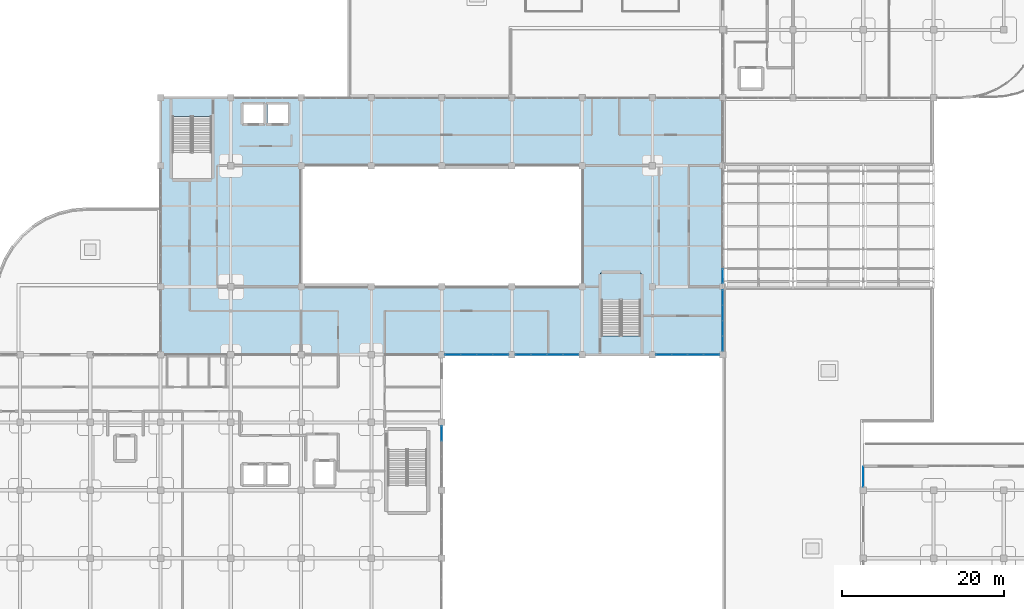
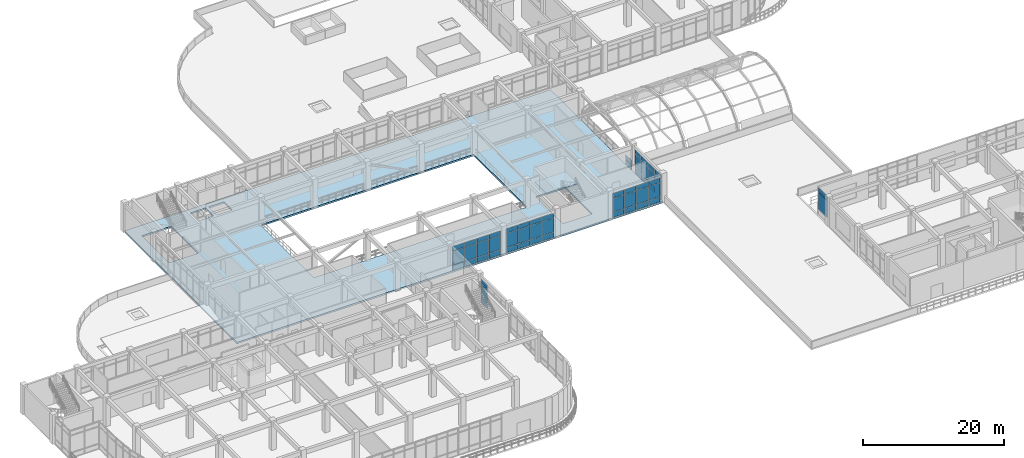
# One storey, part 95 of 124: 55 plates, 2 slabs, 8 elements without a shape of their own.
"""IFC4 building model written with IfcOpenShell, lengths in metres."""

from ifc_helpers import new_model, si_unit, derived_unit, direction, frame, origin, origin_2d, place, context, subcontext, project, spatial, polyline, rectangle, outline, extrude, material, layer, layer_set, type_object, element, aggregate, save


model = new_model("IFC4")

# Units and contexts
model_context = context("Model", 3, precision=1e-05, world=origin(), true_north=direction((0.0, 1.0)))
body_context = subcontext(model_context, "Body", "Model", "MODEL_VIEW")
ifc_project = project(units=[si_unit("LENGTHUNIT", "METRE"), si_unit("AREAUNIT", "SQUARE_METRE"), si_unit("VOLUMEUNIT", "CUBIC_METRE"), si_unit("PLANEANGLEUNIT", "RADIAN"), si_unit("MASSUNIT", "GRAM", prefix="KILO"), derived_unit("THERMALTRANSMITTANCEUNIT", [(si_unit("MASSUNIT", "GRAM", prefix="KILO"), 1), (si_unit("TIMEUNIT", "SECOND"), -3), (si_unit("THERMODYNAMICTEMPERATUREUNIT", "KELVIN"), -1)])], contexts=[model_context])

# Site, building, storey
site_placement = place(None, origin())
site = spatial("IfcSite", under=ifc_project, at=site_placement, CompositionType="ELEMENT")
building_placement = place(site_placement, origin())
building = spatial("IfcBuilding", under=site, at=building_placement, Name="Qinzheling Arcade Emporium", CompositionType="ELEMENT")
storey_placement = place(building_placement, frame((0.0, 0.0, 16.5)))
storey = spatial("IfcBuildingStorey", under=building, at=storey_placement, Name="L04", CompositionType="ELEMENT", Elevation=16.5)

# Curtain wall, plates
ifc_material_1 = material(Name="Anodised aluminium and solar-control double glazing", Category="aluminium")
ifc_layer_1 = layer(ifc_material_1, 0.159912109375, Name="Anodised aluminium and solar-control double glazing", Category="aluminium")
ifc_layer_set_1 = layer_set([ifc_layer_1], Name="Anodised aluminium and solar-control double glazing")
curtain_wall_type_1 = type_object("IfcCurtainWallType", Name="Atrium Clerestory Curtain Wall", PredefinedType="NOTDEFINED", material=ifc_layer_set_1)
curtain_wall_1_placement = place(storey_placement, origin())
curtain_wall_1 = element("IfcCurtainWall", 1, at=curtain_wall_1_placement, inside=storey, type_object=curtain_wall_type_1, Name="Curtain Wall CW-L04-253", PredefinedType="NOTDEFINED")
ifc_material_2 = material(Name="Laminated solar-control double glazing", Category="glass")
ifc_layer_2 = layer(ifc_material_2, 0.02099609375, Name="Laminated solar-control double glazing", Category="glass")
ifc_layer_set_2 = layer_set([ifc_layer_2], Name="Laminated solar-control double glazing")
plate_type_1 = type_object("IfcPlateType", Name="Low-E Double Glazed Curtain Panel 21mm", PredefinedType="CURTAIN_PANEL", material=ifc_layer_set_2)
plate_1_placement = place(storey_placement, frame((104.39990234375, 49.033447265625, 0.06005859375), z_axis=(0.0, 0.0, 1.0), x_axis=(0.0, -1.0, 0.0)))
plate_1 = element("IfcPlate", 2, at=plate_1_placement, type_object=plate_type_1, Name="CW03 panel 1.1", PredefinedType="CURTAIN_PANEL", context=body_context, shape_type="SweptSolid", body=[
    extrude(rectangle(XDim=1.80908203125, YDim=0.02099609375, at=origin_2d()), origin(), (0.0, 0.0, 1.0), 0.860107421875),
])
plate_2_placement = place(storey_placement, frame((104.39990234375, 49.033447265625, 0.97998046875), z_axis=(0.0, 0.0, 1.0), x_axis=(0.0, -1.0, 0.0)))
plate_2 = element("IfcPlate", 3, at=plate_2_placement, type_object=plate_type_1, Name="CW03 panel 1.2", PredefinedType="CURTAIN_PANEL", context=body_context, shape_type="SweptSolid", body=[
    extrude(rectangle(XDim=1.80908203125, YDim=0.02099609375, at=origin_2d()), origin(), (0.0, 0.0, 1.0), 2.39501953125),
])
plate_3_placement = place(storey_placement, frame((104.39990234375, 49.033447265625, 3.43505859375), z_axis=(0.0, 0.0, 1.0), x_axis=(0.0, -1.0, 0.0)))
plate_3 = element("IfcPlate", 4, at=plate_3_placement, type_object=plate_type_1, Name="CW03 panel 1.3", PredefinedType="CURTAIN_PANEL", context=body_context, shape_type="SweptSolid", body=[
    extrude(rectangle(XDim=1.80908203125, YDim=0.02099609375, at=origin_2d()), origin(), (0.0, 0.0, 1.0), 0.760009765625),
])
plate_4_placement = place(storey_placement, frame((104.39990234375, 47.1494140625, 0.06005859375), z_axis=(0.0, 0.0, 1.0), x_axis=(0.0, -1.0, 0.0)))
plate_4 = element("IfcPlate", 5, at=plate_4_placement, type_object=plate_type_1, Name="CW03 panel 2.1", PredefinedType="CURTAIN_PANEL", context=body_context, shape_type="SweptSolid", body=[
    extrude(rectangle(XDim=1.839111328125, YDim=0.02099609375, at=origin_2d()), origin(), (0.0, 0.0, 1.0), 0.860107421875),
])
plate_5_placement = place(storey_placement, frame((104.39990234375, 47.1494140625, 0.97998046875), z_axis=(0.0, 0.0, 1.0), x_axis=(0.0, -1.0, 0.0)))
plate_5 = element("IfcPlate", 6, at=plate_5_placement, type_object=plate_type_1, Name="CW03 panel 2.2", PredefinedType="CURTAIN_PANEL", context=body_context, shape_type="SweptSolid", body=[
    extrude(rectangle(XDim=1.839111328125, YDim=0.02099609375, at=origin_2d()), origin(), (0.0, 0.0, 1.0), 2.39501953125),
])
plate_6_placement = place(storey_placement, frame((104.39990234375, 47.1494140625, 3.43505859375), z_axis=(0.0, 0.0, 1.0), x_axis=(0.0, -1.0, 0.0)))
plate_6 = element("IfcPlate", 7, at=plate_6_placement, type_object=plate_type_1, Name="CW03 panel 2.3", PredefinedType="CURTAIN_PANEL", context=body_context, shape_type="SweptSolid", body=[
    extrude(rectangle(XDim=1.839111328125, YDim=0.02099609375, at=origin_2d()), origin(), (0.0, 0.0, 1.0), 0.760009765625),
])
plate_7_placement = place(storey_placement, frame((104.39990234375, 45.25048828125, 0.06005859375), z_axis=(0.0, 0.0, 1.0), x_axis=(0.0, -1.0, 0.0)))
plate_7 = element("IfcPlate", 8, at=plate_7_placement, type_object=plate_type_1, Name="CW03 panel 3.1", PredefinedType="CURTAIN_PANEL", context=body_context, shape_type="SweptSolid", body=[
    extrude(rectangle(XDim=1.839111328125, YDim=0.02099609375, at=origin_2d()), origin(), (0.0, 0.0, 1.0), 0.860107421875),
])
plate_8_placement = place(storey_placement, frame((104.39990234375, 45.25048828125, 0.97998046875), z_axis=(0.0, 0.0, 1.0), x_axis=(0.0, -1.0, 0.0)))
plate_8 = element("IfcPlate", 9, at=plate_8_placement, type_object=plate_type_1, Name="CW03 panel 3.2", PredefinedType="CURTAIN_PANEL", context=body_context, shape_type="SweptSolid", body=[
    extrude(rectangle(XDim=1.839111328125, YDim=0.02099609375, at=origin_2d()), origin(), (0.0, 0.0, 1.0), 2.39501953125),
])
plate_9_placement = place(storey_placement, frame((104.39990234375, 45.25048828125, 3.43505859375), z_axis=(0.0, 0.0, 1.0), x_axis=(0.0, -1.0, 0.0)))
plate_9 = element("IfcPlate", 10, at=plate_9_placement, type_object=plate_type_1, Name="CW03 panel 3.3", PredefinedType="CURTAIN_PANEL", context=body_context, shape_type="SweptSolid", body=[
    extrude(rectangle(XDim=1.839111328125, YDim=0.02099609375, at=origin_2d()), origin(), (0.0, 0.0, 1.0), 0.760009765625),
])
plate_10_placement = place(storey_placement, frame((104.39990234375, 43.366455078125, 0.06005859375), z_axis=(0.0, 0.0, 1.0), x_axis=(0.0, -1.0, 0.0)))
plate_10 = element("IfcPlate", 11, at=plate_10_placement, type_object=plate_type_1, Name="CW03 panel 4.1", PredefinedType="CURTAIN_PANEL", context=body_context, shape_type="SweptSolid", body=[
    extrude(rectangle(XDim=1.80908203125, YDim=0.02099609375, at=origin_2d()), origin(), (0.0, 0.0, 1.0), 0.860107421875),
])
plate_11_placement = place(storey_placement, frame((104.39990234375, 43.366455078125, 0.97998046875), z_axis=(0.0, 0.0, 1.0), x_axis=(0.0, -1.0, 0.0)))
plate_11 = element("IfcPlate", 12, at=plate_11_placement, type_object=plate_type_1, Name="CW03 panel 4.2", PredefinedType="CURTAIN_PANEL", context=body_context, shape_type="SweptSolid", body=[
    extrude(rectangle(XDim=1.80908203125, YDim=0.02099609375, at=origin_2d()), origin(), (0.0, 0.0, 1.0), 2.39501953125),
])
plate_12_placement = place(storey_placement, frame((104.39990234375, 43.366455078125, 3.43505859375), z_axis=(0.0, 0.0, 1.0), x_axis=(0.0, -1.0, 0.0)))
plate_12 = element("IfcPlate", 13, at=plate_12_placement, type_object=plate_type_1, Name="CW03 panel 4.3", PredefinedType="CURTAIN_PANEL", context=body_context, shape_type="SweptSolid", body=[
    extrude(rectangle(XDim=1.80908203125, YDim=0.02099609375, at=origin_2d()), origin(), (0.0, 0.0, 1.0), 0.760009765625),
])
aggregate(curtain_wall_1, [plate_1, plate_2, plate_3, plate_4, plate_5, plate_6, plate_7, plate_8, plate_9, plate_10, plate_11, plate_12])

curtain_wall_2_placement = place(storey_placement, origin())
curtain_wall_2 = element("IfcCurtainWall", 14, at=curtain_wall_2_placement, inside=storey, type_object=curtain_wall_type_1, Name="Curtain Wall CW-L04-254", PredefinedType="NOTDEFINED")
ifc_layer_3 = layer(ifc_material_2, 0.02197265625, Name="Laminated solar-control double glazing", Category="glass")
ifc_layer_set_3 = layer_set([ifc_layer_3], Name="Laminated solar-control double glazing")
plate_type_2 = type_object("IfcPlateType", Name="Low-E Double Glazed Curtain Panel 22mm", PredefinedType="CURTAIN_PANEL", material=ifc_layer_set_3)
plate_13_placement = place(storey_placement, frame((102.99609375, 42.0, 0.06005859375), z_axis=(0.0, 0.0, 1.0), x_axis=(-1.0, 0.0, 0.0)))
plate_13 = element("IfcPlate", 15, at=plate_13_placement, type_object=plate_type_2, Name="CW03 panel 1.1", PredefinedType="CURTAIN_PANEL", context=body_context, shape_type="SweptSolid", body=[
    extrude(rectangle(XDim=1.884033203125, YDim=0.02197265625, at=origin_2d()), origin(), (0.0, 0.0, 1.0), 0.860107421875),
])
plate_14_placement = place(storey_placement, frame((102.99609375, 42.0, 0.97998046875), z_axis=(0.0, 0.0, 1.0), x_axis=(-1.0, 0.0, 0.0)))
plate_14 = element("IfcPlate", 16, at=plate_14_placement, type_object=plate_type_2, Name="CW03 panel 1.2", PredefinedType="CURTAIN_PANEL", context=body_context, shape_type="SweptSolid", body=[
    extrude(rectangle(XDim=1.884033203125, YDim=0.02197265625, at=origin_2d()), origin(), (0.0, 0.0, 1.0), 2.39501953125),
])
plate_15_placement = place(storey_placement, frame((102.99609375, 42.0, 3.43505859375), z_axis=(0.0, 0.0, 1.0), x_axis=(-1.0, 0.0, 0.0)))
plate_15 = element("IfcPlate", 17, at=plate_15_placement, type_object=plate_type_2, Name="CW03 panel 1.3", PredefinedType="CURTAIN_PANEL", context=body_context, shape_type="SweptSolid", body=[
    extrude(rectangle(XDim=1.884033203125, YDim=0.02197265625, at=origin_2d()), origin(), (0.0, 0.0, 1.0), 0.760009765625),
])
plate_16_placement = place(storey_placement, frame((101.037109375, 42.0, 0.06005859375), z_axis=(0.0, 0.0, 1.0), x_axis=(-1.0, 0.0, 0.0)))
plate_16 = element("IfcPlate", 18, at=plate_16_placement, type_object=plate_type_2, Name="CW03 panel 2.1", PredefinedType="CURTAIN_PANEL", context=body_context, shape_type="SweptSolid", body=[
    extrude(rectangle(XDim=1.9140625, YDim=0.02197265625, at=origin_2d()), origin(), (0.0, 0.0, 1.0), 0.860107421875),
])
plate_17_placement = place(storey_placement, frame((101.037109375, 42.0, 0.97998046875), z_axis=(0.0, 0.0, 1.0), x_axis=(-1.0, 0.0, 0.0)))
plate_17 = element("IfcPlate", 19, at=plate_17_placement, type_object=plate_type_2, Name="CW03 panel 2.2", PredefinedType="CURTAIN_PANEL", context=body_context, shape_type="SweptSolid", body=[
    extrude(rectangle(XDim=1.9140625, YDim=0.02197265625, at=origin_2d()), origin(), (0.0, 0.0, 1.0), 2.39501953125),
])
plate_18_placement = place(storey_placement, frame((101.037109375, 42.0, 3.43505859375), z_axis=(0.0, 0.0, 1.0), x_axis=(-1.0, 0.0, 0.0)))
plate_18 = element("IfcPlate", 20, at=plate_18_placement, type_object=plate_type_2, Name="CW03 panel 2.3", PredefinedType="CURTAIN_PANEL", context=body_context, shape_type="SweptSolid", body=[
    extrude(rectangle(XDim=1.9140625, YDim=0.02197265625, at=origin_2d()), origin(), (0.0, 0.0, 1.0), 0.760009765625),
])
plate_19_placement = place(storey_placement, frame((99.06298828125, 42.0, 0.06005859375), z_axis=(0.0, 0.0, 1.0), x_axis=(-1.0, 0.0, 0.0)))
plate_19 = element("IfcPlate", 21, at=plate_19_placement, type_object=plate_type_2, Name="CW03 panel 3.1", PredefinedType="CURTAIN_PANEL", context=body_context, shape_type="SweptSolid", body=[
    extrude(rectangle(XDim=1.9140625, YDim=0.02197265625, at=origin_2d()), origin(), (0.0, 0.0, 1.0), 0.860107421875),
])
plate_20_placement = place(storey_placement, frame((99.06298828125, 42.0, 0.97998046875), z_axis=(0.0, 0.0, 1.0), x_axis=(-1.0, 0.0, 0.0)))
plate_20 = element("IfcPlate", 22, at=plate_20_placement, type_object=plate_type_2, Name="CW03 panel 3.2", PredefinedType="CURTAIN_PANEL", context=body_context, shape_type="SweptSolid", body=[
    extrude(rectangle(XDim=1.9140625, YDim=0.02197265625, at=origin_2d()), origin(), (0.0, 0.0, 1.0), 2.39501953125),
])
plate_21_placement = place(storey_placement, frame((99.06298828125, 42.0, 3.43505859375), z_axis=(0.0, 0.0, 1.0), x_axis=(-1.0, 0.0, 0.0)))
plate_21 = element("IfcPlate", 23, at=plate_21_placement, type_object=plate_type_2, Name="CW03 panel 3.3", PredefinedType="CURTAIN_PANEL", context=body_context, shape_type="SweptSolid", body=[
    extrude(rectangle(XDim=1.9140625, YDim=0.02197265625, at=origin_2d()), origin(), (0.0, 0.0, 1.0), 0.760009765625),
])
plate_22_placement = place(storey_placement, frame((97.10400390625, 42.0, 0.06005859375), z_axis=(0.0, 0.0, 1.0), x_axis=(-1.0, 0.0, 0.0)))
plate_22 = element("IfcPlate", 24, at=plate_22_placement, type_object=plate_type_2, Name="CW03 panel 4.1", PredefinedType="CURTAIN_PANEL", context=body_context, shape_type="SweptSolid", body=[
    extrude(rectangle(XDim=1.884033203125, YDim=0.02197265625, at=origin_2d()), origin(), (0.0, 0.0, 1.0), 0.860107421875),
])
plate_23_placement = place(storey_placement, frame((97.10400390625, 42.0, 0.97998046875), z_axis=(0.0, 0.0, 1.0), x_axis=(-1.0, 0.0, 0.0)))
plate_23 = element("IfcPlate", 25, at=plate_23_placement, type_object=plate_type_2, Name="CW03 panel 4.2", PredefinedType="CURTAIN_PANEL", context=body_context, shape_type="SweptSolid", body=[
    extrude(rectangle(XDim=1.884033203125, YDim=0.02197265625, at=origin_2d()), origin(), (0.0, 0.0, 1.0), 2.39501953125),
])
plate_24_placement = place(storey_placement, frame((97.10400390625, 42.0, 3.43505859375), z_axis=(0.0, 0.0, 1.0), x_axis=(-1.0, 0.0, 0.0)))
plate_24 = element("IfcPlate", 26, at=plate_24_placement, type_object=plate_type_2, Name="CW03 panel 4.3", PredefinedType="CURTAIN_PANEL", context=body_context, shape_type="SweptSolid", body=[
    extrude(rectangle(XDim=1.884033203125, YDim=0.02197265625, at=origin_2d()), origin(), (0.0, 0.0, 1.0), 0.760009765625),
])
aggregate(curtain_wall_2, [plate_13, plate_14, plate_15, plate_16, plate_17, plate_18, plate_19, plate_20, plate_21, plate_22, plate_23, plate_24])

curtain_wall_3_placement = place(storey_placement, origin())
curtain_wall_3 = element("IfcCurtainWall", 27, at=curtain_wall_3_placement, inside=storey, type_object=curtain_wall_type_1, Name="Curtain Wall CW-L04-255", PredefinedType="NOTDEFINED")
ifc_layer_4 = layer(ifc_material_2, 0.02392578125, Name="Laminated solar-control double glazing", Category="glass")
ifc_layer_set_4 = layer_set([ifc_layer_4], Name="Laminated solar-control double glazing")
plate_type_3 = type_object("IfcPlateType", Name="Low-E Double Glazed Curtain Panel 24mm", PredefinedType="CURTAIN_PANEL", material=ifc_layer_set_4)
plate_25_placement = place(storey_placement, frame((85.595947265625, 42.0, 0.06005859375), z_axis=(0.0, 0.0, 1.0), x_axis=(-1.0, 0.0, 0.0)))
plate_25 = element("IfcPlate", 28, at=plate_25_placement, type_object=plate_type_3, Name="CW03 panel 1.1", PredefinedType="CURTAIN_PANEL", context=body_context, shape_type="SweptSolid", body=[
    extrude(rectangle(XDim=1.884033203125, YDim=0.02392578125, at=origin_2d()), origin(), (0.0, 0.0, 1.0), 0.860107421875),
])
plate_26_placement = place(storey_placement, frame((85.595947265625, 42.0, 0.97998046875), z_axis=(0.0, 0.0, 1.0), x_axis=(-1.0, 0.0, 0.0)))
plate_26 = element("IfcPlate", 29, at=plate_26_placement, type_object=plate_type_3, Name="CW03 panel 1.2", PredefinedType="CURTAIN_PANEL", context=body_context, shape_type="SweptSolid", body=[
    extrude(rectangle(XDim=1.884033203125, YDim=0.02392578125, at=origin_2d()), origin(), (0.0, 0.0, 1.0), 2.39501953125),
])
plate_27_placement = place(storey_placement, frame((85.595947265625, 42.0, 3.43505859375), z_axis=(0.0, 0.0, 1.0), x_axis=(-1.0, 0.0, 0.0)))
plate_27 = element("IfcPlate", 30, at=plate_27_placement, type_object=plate_type_3, Name="CW03 panel 1.3", PredefinedType="CURTAIN_PANEL", context=body_context, shape_type="SweptSolid", body=[
    extrude(rectangle(XDim=1.884033203125, YDim=0.02392578125, at=origin_2d()), origin(), (0.0, 0.0, 1.0), 0.760009765625),
])
plate_28_placement = place(storey_placement, frame((83.636962890625, 42.0, 0.06005859375), z_axis=(0.0, 0.0, 1.0), x_axis=(-1.0, 0.0, 0.0)))
plate_28 = element("IfcPlate", 31, at=plate_28_placement, type_object=plate_type_3, Name="CW03 panel 2.1", PredefinedType="CURTAIN_PANEL", context=body_context, shape_type="SweptSolid", body=[
    extrude(rectangle(XDim=1.9140625, YDim=0.02392578125, at=origin_2d()), origin(), (0.0, 0.0, 1.0), 0.860107421875),
])
plate_29_placement = place(storey_placement, frame((83.636962890625, 42.0, 0.97998046875), z_axis=(0.0, 0.0, 1.0), x_axis=(-1.0, 0.0, 0.0)))
plate_29 = element("IfcPlate", 32, at=plate_29_placement, type_object=plate_type_3, Name="CW03 panel 2.2", PredefinedType="CURTAIN_PANEL", context=body_context, shape_type="SweptSolid", body=[
    extrude(rectangle(XDim=1.9140625, YDim=0.02392578125, at=origin_2d()), origin(), (0.0, 0.0, 1.0), 2.39501953125),
])
plate_30_placement = place(storey_placement, frame((83.636962890625, 42.0, 3.43505859375), z_axis=(0.0, 0.0, 1.0), x_axis=(-1.0, 0.0, 0.0)))
plate_30 = element("IfcPlate", 33, at=plate_30_placement, type_object=plate_type_3, Name="CW03 panel 2.3", PredefinedType="CURTAIN_PANEL", context=body_context, shape_type="SweptSolid", body=[
    extrude(rectangle(XDim=1.9140625, YDim=0.02392578125, at=origin_2d()), origin(), (0.0, 0.0, 1.0), 0.760009765625),
])
plate_31_placement = place(storey_placement, frame((81.6630859375, 42.0, 0.06005859375), z_axis=(0.0, 0.0, 1.0), x_axis=(-1.0, 0.0, 0.0)))
plate_31 = element("IfcPlate", 34, at=plate_31_placement, type_object=plate_type_3, Name="CW03 panel 3.1", PredefinedType="CURTAIN_PANEL", context=body_context, shape_type="SweptSolid", body=[
    extrude(rectangle(XDim=1.9140625, YDim=0.02392578125, at=origin_2d()), origin(), (0.0, 0.0, 1.0), 0.860107421875),
])
plate_32_placement = place(storey_placement, frame((81.6630859375, 42.0, 0.97998046875), z_axis=(0.0, 0.0, 1.0), x_axis=(-1.0, 0.0, 0.0)))
plate_32 = element("IfcPlate", 35, at=plate_32_placement, type_object=plate_type_3, Name="CW03 panel 3.2", PredefinedType="CURTAIN_PANEL", context=body_context, shape_type="SweptSolid", body=[
    extrude(rectangle(XDim=1.9140625, YDim=0.02392578125, at=origin_2d()), origin(), (0.0, 0.0, 1.0), 2.39501953125),
])
plate_33_placement = place(storey_placement, frame((81.6630859375, 42.0, 3.43505859375), z_axis=(0.0, 0.0, 1.0), x_axis=(-1.0, 0.0, 0.0)))
plate_33 = element("IfcPlate", 36, at=plate_33_placement, type_object=plate_type_3, Name="CW03 panel 3.3", PredefinedType="CURTAIN_PANEL", context=body_context, shape_type="SweptSolid", body=[
    extrude(rectangle(XDim=1.9140625, YDim=0.02392578125, at=origin_2d()), origin(), (0.0, 0.0, 1.0), 0.760009765625),
])
plate_34_placement = place(storey_placement, frame((79.7041015625, 42.0, 0.06005859375), z_axis=(0.0, 0.0, 1.0), x_axis=(-1.0, 0.0, 0.0)))
plate_34 = element("IfcPlate", 37, at=plate_34_placement, type_object=plate_type_3, Name="CW03 panel 4.1", PredefinedType="CURTAIN_PANEL", context=body_context, shape_type="SweptSolid", body=[
    extrude(rectangle(XDim=1.884033203125, YDim=0.02392578125, at=origin_2d()), origin(), (0.0, 0.0, 1.0), 0.860107421875),
])
plate_35_placement = place(storey_placement, frame((79.7041015625, 42.0, 0.97998046875), z_axis=(0.0, 0.0, 1.0), x_axis=(-1.0, 0.0, 0.0)))
plate_35 = element("IfcPlate", 38, at=plate_35_placement, type_object=plate_type_3, Name="CW03 panel 4.2", PredefinedType="CURTAIN_PANEL", context=body_context, shape_type="SweptSolid", body=[
    extrude(rectangle(XDim=1.884033203125, YDim=0.02392578125, at=origin_2d()), origin(), (0.0, 0.0, 1.0), 2.39501953125),
])
plate_36_placement = place(storey_placement, frame((79.7041015625, 42.0, 3.43505859375), z_axis=(0.0, 0.0, 1.0), x_axis=(-1.0, 0.0, 0.0)))
plate_36 = element("IfcPlate", 39, at=plate_36_placement, type_object=plate_type_3, Name="CW03 panel 4.3", PredefinedType="CURTAIN_PANEL", context=body_context, shape_type="SweptSolid", body=[
    extrude(rectangle(XDim=1.884033203125, YDim=0.02392578125, at=origin_2d()), origin(), (0.0, 0.0, 1.0), 0.760009765625),
])
aggregate(curtain_wall_3, [plate_25, plate_26, plate_27, plate_28, plate_29, plate_30, plate_31, plate_32, plate_33, plate_34, plate_35, plate_36])

curtain_wall_4_placement = place(storey_placement, origin())
curtain_wall_4 = element("IfcCurtainWall", 40, at=curtain_wall_4_placement, inside=storey, type_object=curtain_wall_type_1, Name="Curtain Wall CW-L04-256", PredefinedType="NOTDEFINED")
ifc_layer_5 = layer(ifc_material_2, 0.02490234375, Name="Laminated solar-control double glazing", Category="glass")
ifc_layer_set_5 = layer_set([ifc_layer_5], Name="Laminated solar-control double glazing")
plate_type_4 = type_object("IfcPlateType", Name="Low-E Double Glazed Curtain Panel 25mm", PredefinedType="CURTAIN_PANEL", material=ifc_layer_set_5)
plate_37_placement = place(storey_placement, frame((76.89599609375, 42.0, 0.06005859375), z_axis=(0.0, 0.0, 1.0), x_axis=(-1.0, 0.0, 0.0)))
plate_37 = element("IfcPlate", 41, at=plate_37_placement, type_object=plate_type_4, Name="CW03 panel 1.1", PredefinedType="CURTAIN_PANEL", context=body_context, shape_type="SweptSolid", body=[
    extrude(rectangle(XDim=1.884033203125, YDim=0.02490234375, at=origin_2d()), origin(), (0.0, 0.0, 1.0), 0.860107421875),
])
plate_38_placement = place(storey_placement, frame((76.89599609375, 42.0, 0.97998046875), z_axis=(0.0, 0.0, 1.0), x_axis=(-1.0, 0.0, 0.0)))
plate_38 = element("IfcPlate", 42, at=plate_38_placement, type_object=plate_type_4, Name="CW03 panel 1.2", PredefinedType="CURTAIN_PANEL", context=body_context, shape_type="SweptSolid", body=[
    extrude(rectangle(XDim=1.884033203125, YDim=0.02490234375, at=origin_2d()), origin(), (0.0, 0.0, 1.0), 2.39501953125),
])
plate_39_placement = place(storey_placement, frame((76.89599609375, 42.0, 3.43505859375), z_axis=(0.0, 0.0, 1.0), x_axis=(-1.0, 0.0, 0.0)))
plate_39 = element("IfcPlate", 43, at=plate_39_placement, type_object=plate_type_4, Name="CW03 panel 1.3", PredefinedType="CURTAIN_PANEL", context=body_context, shape_type="SweptSolid", body=[
    extrude(rectangle(XDim=1.884033203125, YDim=0.02490234375, at=origin_2d()), origin(), (0.0, 0.0, 1.0), 0.760009765625),
])
plate_40_placement = place(storey_placement, frame((74.93701171875, 42.0, 0.06005859375), z_axis=(0.0, 0.0, 1.0), x_axis=(-1.0, 0.0, 0.0)))
plate_40 = element("IfcPlate", 44, at=plate_40_placement, type_object=plate_type_4, Name="CW03 panel 2.1", PredefinedType="CURTAIN_PANEL", context=body_context, shape_type="SweptSolid", body=[
    extrude(rectangle(XDim=1.9140625, YDim=0.02490234375, at=origin_2d()), origin(), (0.0, 0.0, 1.0), 0.860107421875),
])
plate_41_placement = place(storey_placement, frame((74.93701171875, 42.0, 0.97998046875), z_axis=(0.0, 0.0, 1.0), x_axis=(-1.0, 0.0, 0.0)))
plate_41 = element("IfcPlate", 45, at=plate_41_placement, type_object=plate_type_4, Name="CW03 panel 2.2", PredefinedType="CURTAIN_PANEL", context=body_context, shape_type="SweptSolid", body=[
    extrude(rectangle(XDim=1.9140625, YDim=0.02490234375, at=origin_2d()), origin(), (0.0, 0.0, 1.0), 2.39501953125),
])
plate_42_placement = place(storey_placement, frame((74.93701171875, 42.0, 3.43505859375), z_axis=(0.0, 0.0, 1.0), x_axis=(-1.0, 0.0, 0.0)))
plate_42 = element("IfcPlate", 46, at=plate_42_placement, type_object=plate_type_4, Name="CW03 panel 2.3", PredefinedType="CURTAIN_PANEL", context=body_context, shape_type="SweptSolid", body=[
    extrude(rectangle(XDim=1.9140625, YDim=0.02490234375, at=origin_2d()), origin(), (0.0, 0.0, 1.0), 0.760009765625),
])
plate_43_placement = place(storey_placement, frame((72.962890625, 42.0, 0.06005859375), z_axis=(0.0, 0.0, 1.0), x_axis=(-1.0, 0.0, 0.0)))
plate_43 = element("IfcPlate", 47, at=plate_43_placement, type_object=plate_type_4, Name="CW03 panel 3.1", PredefinedType="CURTAIN_PANEL", context=body_context, shape_type="SweptSolid", body=[
    extrude(rectangle(XDim=1.9140625, YDim=0.02490234375, at=origin_2d()), origin(), (0.0, 0.0, 1.0), 0.860107421875),
])
plate_44_placement = place(storey_placement, frame((72.962890625, 42.0, 0.97998046875), z_axis=(0.0, 0.0, 1.0), x_axis=(-1.0, 0.0, 0.0)))
plate_44 = element("IfcPlate", 48, at=plate_44_placement, type_object=plate_type_4, Name="CW03 panel 3.2", PredefinedType="CURTAIN_PANEL", context=body_context, shape_type="SweptSolid", body=[
    extrude(rectangle(XDim=1.9140625, YDim=0.02490234375, at=origin_2d()), origin(), (0.0, 0.0, 1.0), 2.39501953125),
])
plate_45_placement = place(storey_placement, frame((72.962890625, 42.0, 3.43505859375), z_axis=(0.0, 0.0, 1.0), x_axis=(-1.0, 0.0, 0.0)))
plate_45 = element("IfcPlate", 49, at=plate_45_placement, type_object=plate_type_4, Name="CW03 panel 3.3", PredefinedType="CURTAIN_PANEL", context=body_context, shape_type="SweptSolid", body=[
    extrude(rectangle(XDim=1.9140625, YDim=0.02490234375, at=origin_2d()), origin(), (0.0, 0.0, 1.0), 0.760009765625),
])
plate_46_placement = place(storey_placement, frame((71.00390625, 42.0, 0.06005859375), z_axis=(0.0, 0.0, 1.0), x_axis=(-1.0, 0.0, 0.0)))
plate_46 = element("IfcPlate", 50, at=plate_46_placement, type_object=plate_type_4, Name="CW03 panel 4.1", PredefinedType="CURTAIN_PANEL", context=body_context, shape_type="SweptSolid", body=[
    extrude(rectangle(XDim=1.884033203125, YDim=0.02490234375, at=origin_2d()), origin(), (0.0, 0.0, 1.0), 0.860107421875),
])
plate_47_placement = place(storey_placement, frame((71.00390625, 42.0, 0.97998046875), z_axis=(0.0, 0.0, 1.0), x_axis=(-1.0, 0.0, 0.0)))
plate_47 = element("IfcPlate", 51, at=plate_47_placement, type_object=plate_type_4, Name="CW03 panel 4.2", PredefinedType="CURTAIN_PANEL", context=body_context, shape_type="SweptSolid", body=[
    extrude(rectangle(XDim=1.884033203125, YDim=0.02490234375, at=origin_2d()), origin(), (0.0, 0.0, 1.0), 2.39501953125),
])
plate_48_placement = place(storey_placement, frame((71.00390625, 42.0, 3.43505859375), z_axis=(0.0, 0.0, 1.0), x_axis=(-1.0, 0.0, 0.0)))
plate_48 = element("IfcPlate", 52, at=plate_48_placement, type_object=plate_type_4, Name="CW03 panel 4.3", PredefinedType="CURTAIN_PANEL", context=body_context, shape_type="SweptSolid", body=[
    extrude(rectangle(XDim=1.884033203125, YDim=0.02490234375, at=origin_2d()), origin(), (0.0, 0.0, 1.0), 0.760009765625),
])
aggregate(curtain_wall_4, [plate_37, plate_38, plate_39, plate_40, plate_41, plate_42, plate_43, plate_44, plate_45, plate_46, plate_47, plate_48])

ifc_layer_6 = layer(ifc_material_1, 0.159912109375, Name="Anodised aluminium and solar-control double glazing", Category="aluminium")
ifc_layer_set_6 = layer_set([ifc_layer_6], Name="Anodised aluminium and solar-control double glazing")
curtain_wall_type_2 = type_object("IfcCurtainWallType", Name="Arcade Portal Glazed Curtain Wall", PredefinedType="NOTDEFINED", material=ifc_layer_set_6)
curtain_wall_5_placement = place(storey_placement, origin())
curtain_wall_5 = element("IfcCurtainWall", 53, at=curtain_wall_5_placement, inside=storey, type_object=curtain_wall_type_2, Name="Curtain Wall CW-L04-257", PredefinedType="NOTDEFINED")
ifc_layer_7 = layer(ifc_material_2, 0.02587890625, Name="Laminated solar-control double glazing", Category="glass")
ifc_layer_set_7 = layer_set([ifc_layer_7], Name="Laminated solar-control double glazing")
plate_type_5 = type_object("IfcPlateType", Name="Low-E Double Glazed Curtain Panel 26mm", PredefinedType="CURTAIN_PANEL", material=ifc_layer_set_7)
plate_49_placement = place(storey_placement, frame((69.60009765625, 32.2333984375, 0.06005859375), z_axis=(0.0, 0.0, 1.0), x_axis=(0.0, -1.0, 0.0)))
plate_49 = element("IfcPlate", 54, at=plate_49_placement, type_object=plate_type_5, Name="CW05 panel 1.1", PredefinedType="CURTAIN_PANEL", context=body_context, shape_type="SweptSolid", body=[
    extrude(rectangle(XDim=1.80908203125, YDim=0.02587890625, at=origin_2d()), origin(), (0.0, 0.0, 1.0), 0.860107421875),
])
plate_50_placement = place(storey_placement, frame((69.60009765625, 32.2333984375, 0.97998046875), z_axis=(0.0, 0.0, 1.0), x_axis=(0.0, -1.0, 0.0)))
plate_50 = element("IfcPlate", 55, at=plate_50_placement, type_object=plate_type_5, Name="CW05 panel 1.2", PredefinedType="CURTAIN_PANEL", context=body_context, shape_type="SweptSolid", body=[
    extrude(rectangle(XDim=1.80908203125, YDim=0.02587890625, at=origin_2d()), origin(), (0.0, 0.0, 1.0), 2.39501953125),
])
plate_51_placement = place(storey_placement, frame((69.60009765625, 32.2333984375, 3.43505859375), z_axis=(0.0, 0.0, 1.0), x_axis=(0.0, -1.0, 0.0)))
plate_51 = element("IfcPlate", 56, at=plate_51_placement, type_object=plate_type_5, Name="CW05 panel 1.3", PredefinedType="CURTAIN_PANEL", context=body_context, shape_type="SweptSolid", body=[
    extrude(rectangle(XDim=1.80908203125, YDim=0.02587890625, at=origin_2d()), origin(), (0.0, 0.0, 1.0), 0.760009765625),
])
aggregate(curtain_wall_5, [plate_49, plate_50, plate_51])

ifc_layer_8 = layer(ifc_material_1, 0.159912109375, Name="Anodised aluminium and solar-control double glazing", Category="aluminium")
ifc_layer_set_8 = layer_set([ifc_layer_8], Name="Anodised aluminium and solar-control double glazing")
curtain_wall_type_3 = type_object("IfcCurtainWallType", Name="Food Hall Loggia Curtain Wall", PredefinedType="NOTDEFINED", material=ifc_layer_set_8)
curtain_wall_6_placement = place(storey_placement, origin())
curtain_wall_6 = element("IfcCurtainWall", 57, at=curtain_wall_6_placement, inside=storey, type_object=curtain_wall_type_3, Name="Curtain Wall CW-L04-218", PredefinedType="NOTDEFINED")
ifc_layer_9 = layer(ifc_material_2, 0.0380859375, Name="Laminated solar-control double glazing", Category="glass")
ifc_layer_set_9 = layer_set([ifc_layer_9], Name="Laminated solar-control double glazing")
plate_type_6 = type_object("IfcPlateType", Name="Low-E Double Glazed Curtain Panel 38mm", PredefinedType="CURTAIN_PANEL", material=ifc_layer_set_9)
plate_52_placement = place(storey_placement, frame((121.800048828125, 26.90087890625, 0.97998046875), z_axis=(0.0, 0.0, 1.0), x_axis=(0.0, 1.0, 0.0)))
plate_52 = element("IfcPlate", 58, at=plate_52_placement, type_object=plate_type_6, Name="CW04 panel 1.2", PredefinedType="CURTAIN_PANEL", context=body_context, shape_type="SweptSolid", body=[
    extrude(rectangle(XDim=2.47802734375, YDim=0.0380859375, at=origin_2d()), origin(), (0.0, 0.0, 1.0), 2.929931640625),
])
plate_53_placement = place(storey_placement, frame((121.800048828125, 26.90087890625, 3.97021484375), z_axis=(0.0, 0.0, 1.0), x_axis=(0.0, 1.0, 0.0)))
plate_53 = element("IfcPlate", 59, at=plate_53_placement, type_object=plate_type_6, Name="CW04 panel 1.3", PredefinedType="CURTAIN_PANEL", context=body_context, shape_type="SweptSolid", body=[
    extrude(rectangle(XDim=2.47802734375, YDim=0.0380859375, at=origin_2d()), origin(), (0.0, 0.0, 1.0), 0.760009765625),
])
aggregate(curtain_wall_6, [plate_52, plate_53])

curtain_wall_7_placement = place(storey_placement, origin())
curtain_wall_7 = element("IfcCurtainWall", 60, at=curtain_wall_7_placement, inside=storey, type_object=curtain_wall_type_1, Name="Curtain Wall CW-L04-252", PredefinedType="NOTDEFINED")
ifc_layer_10 = layer(ifc_material_2, 0.0419921875, Name="Laminated solar-control double glazing", Category="glass")
ifc_layer_set_10 = layer_set([ifc_layer_10], Name="Laminated solar-control double glazing")
plate_type_7 = type_object("IfcPlateType", Name="Low-E Double Glazed Curtain Panel 42mm", PredefinedType="CURTAIN_PANEL", material=ifc_layer_set_10)
plate_54_placement = place(storey_placement, frame((104.39990234375, 51.7041015625, 0.06005859375), z_axis=(0.0, 0.0, 1.0), x_axis=(0.0, -1.0, 0.0)))
plate_54 = element("IfcPlate", 61, at=plate_54_placement, type_object=plate_type_7, Name="CW03 panel 4.1", PredefinedType="CURTAIN_PANEL", context=body_context, shape_type="SweptSolid", body=[
    extrude(rectangle(XDim=1.68408203125, YDim=0.0419921875, at=origin_2d()), origin(), (0.0, 0.0, 1.0), 0.7900390625),
])
plate_55_placement = place(storey_placement, frame((104.39990234375, 51.7041015625, 0.909912109375), z_axis=(0.0, 0.0, 1.0), x_axis=(0.0, -1.0, 0.0)))
plate_55 = element("IfcPlate", 62, at=plate_55_placement, type_object=plate_type_7, Name="CW03 panel 4.2", PredefinedType="CURTAIN_PANEL", context=body_context, shape_type="SweptSolid", body=[
    extrude(rectangle(XDim=1.68408203125, YDim=0.0419921875, at=origin_2d()), origin(), (0.0, 0.0, 1.0), 0.7890625),
])
aggregate(curtain_wall_7, [plate_54, plate_55])

# Slab
ifc_material_3 = material(Name="Concrete C40", Category="concrete")
ifc_layer_11 = layer(ifc_material_3, 0.280029296875, Name="Concrete C40", Category="concrete")
ifc_layer_set_11 = layer_set([ifc_layer_11], Name="Concrete C40")
slab_type_1 = type_object("IfcSlabType", Name="Retail Two-Way Flat Slab 280 C40", PredefinedType="FLOOR", material=ifc_layer_set_11)
slab_1_placement = place(storey_placement, frame((0.0, 0.0, -0.280029296875)))
element("IfcSlab", 63, at=slab_1_placement, inside=storey, type_object=slab_type_1, Name="Floor Slab SLB-L04-V2", PredefinedType="FLOOR", context=body_context, shape_type="SweptSolid", body=[
    extrude(outline(polyline([(34.800048828125, 42.0), (104.39990234375, 42.0), (104.39990234375, 73.800048828125), (34.800048828125, 73.800048828125), (34.800048828125, 42.0)]), holes=[polyline([(94.18994140625, 44.324951171875), (89.39990234375, 44.324951171875), (89.39990234375, 52.0), (94.18994140625, 52.0), (94.18994140625, 44.324951171875)]), polyline([(87.0, 50.39990234375), (52.199951171875, 50.39990234375), (52.199951171875, 65.39990234375), (87.0, 65.39990234375), (87.0, 50.39990234375)]), polyline([(50.550048828125, 70.64990234375), (48.050048828125, 70.64990234375), (48.050048828125, 72.949951171875), (50.550048828125, 72.949951171875), (50.550048828125, 70.64990234375)]), polyline([(47.550048828125, 70.64990234375), (45.050048828125, 70.64990234375), (45.050048828125, 72.949951171875), (47.550048828125, 72.949951171875), (47.550048828125, 70.64990234375)]), polyline([(41.090087890625, 63.800048828125), (36.300048828125, 63.800048828125), (36.300048828125, 71.47509765625), (41.090087890625, 71.47509765625), (41.090087890625, 63.800048828125)])]), origin(), (0.0, 0.0, 1.0), 0.280029296875),
])

# Stair, slab
stair_type = type_object("IfcStairType", Name="Cast-in-Situ Dog-Leg Escape Stair H5100", PredefinedType="HALF_TURN_STAIR", material=ifc_material_3)
stair_placement = place(storey_placement, origin())
stair = element("IfcStair", 64, at=stair_placement, inside=storey, type_object=stair_type, Name="L04 ST04", PredefinedType="HALF_TURN_STAIR")
ifc_layer_12 = layer(ifc_material_3, 0.199951171875, Name="Concrete C40", Category="concrete")
ifc_layer_set_12 = layer_set([ifc_layer_12], Name="Concrete C40")
slab_type_2 = type_object("IfcSlabType", Name="Stair Half-Turn Landing Slab 200 C40", PredefinedType="LANDING", material=ifc_layer_set_12)
slab_2_placement = place(storey_placement, frame((0.0, 0.0, 2.35009765625)))
slab_2 = element("IfcSlab", 65, at=slab_2_placement, type_object=slab_type_2, Name="ST04 landing 1", PredefinedType="LANDING", context=body_context, shape_type="SweptSolid", body=[
    extrude(outline(polyline([(94.31005859375, 48.679931640625), (89.280029296875, 48.679931640625), (89.280029296875, 52.1201171875), (94.31005859375, 52.1201171875), (94.31005859375, 48.679931640625)])), origin(), (0.0, 0.0, 1.0), 0.199951171875),
])
aggregate(stair, [slab_2])

save(model, "model.ifc")
